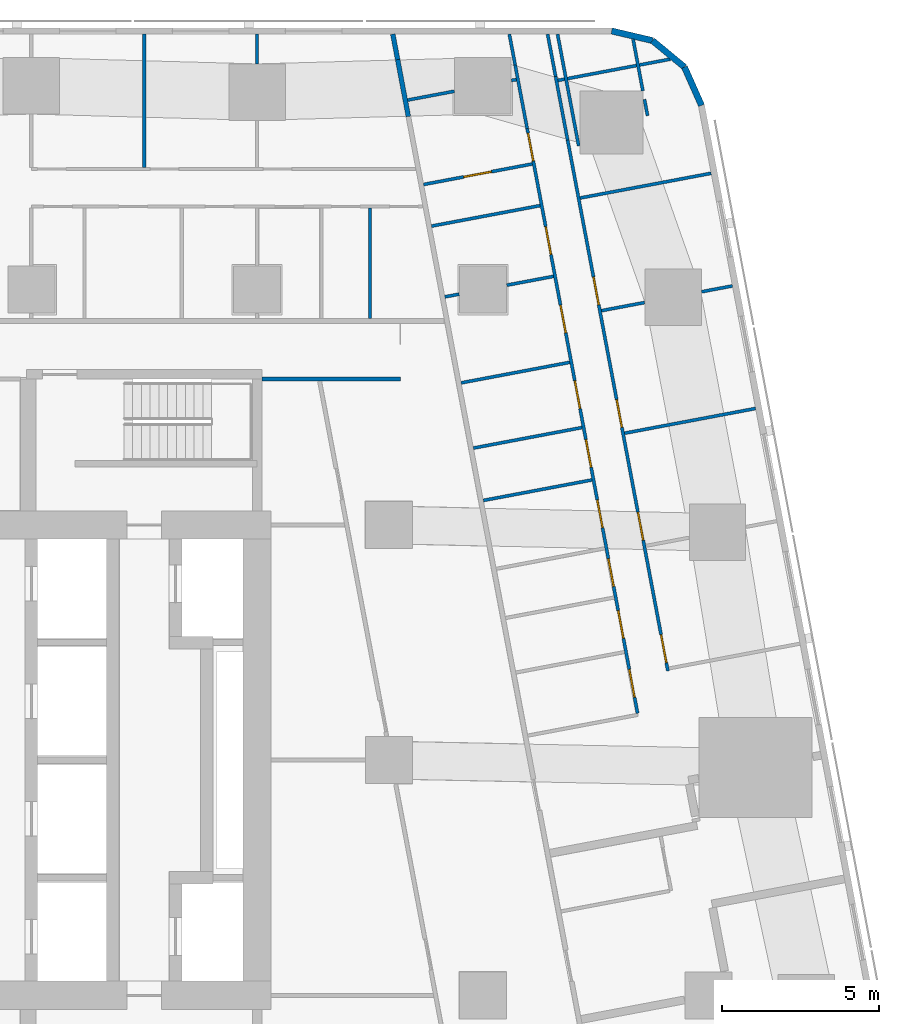
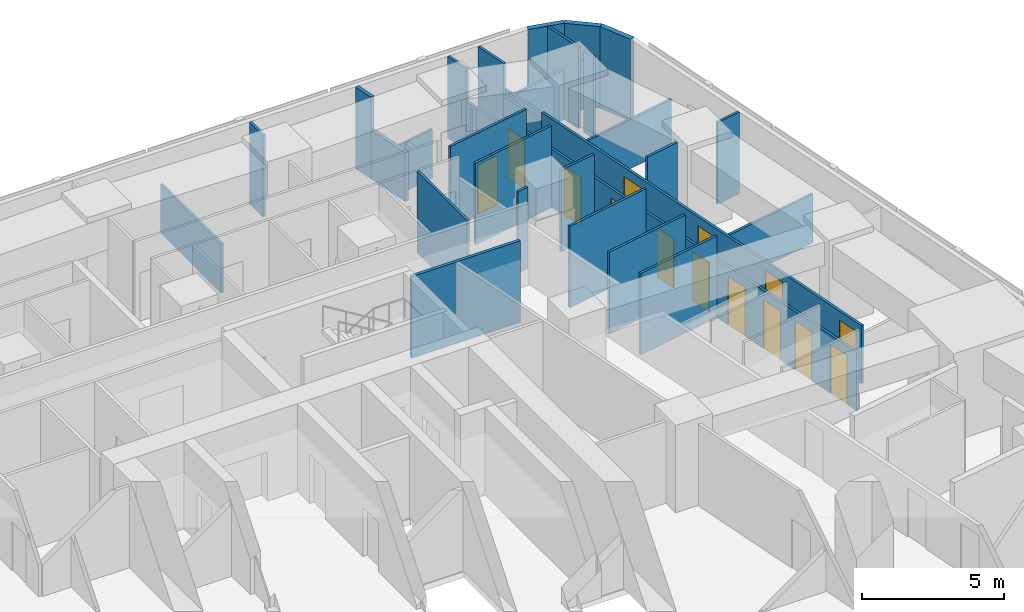
# One storey, part 11 of 15: 32 walls, 14 doors, 14 openings.
"""IFC4 building model written with IfcOpenShell, lengths in metres."""

from ifc_helpers import new_model, si_unit, direction, frame, frame_2d, origin, place, context, subcontext, project, spatial, rectangle, extrude, material, layer, layer_set, type_object, element, fill, save


model = new_model("IFC4")

# Units and contexts
model_context = context("Model", 3, precision=1e-05, world=origin(), true_north=direction((0.0, 1.0)))
body_context = subcontext(model_context, "Body", "Model", "MODEL_VIEW")
ifc_project = project(units=[si_unit("LENGTHUNIT", "METRE"), si_unit("AREAUNIT", "SQUARE_METRE"), si_unit("VOLUMEUNIT", "CUBIC_METRE"), si_unit("PLANEANGLEUNIT", "RADIAN"), si_unit("MASSUNIT", "GRAM", prefix="KILO")], contexts=[model_context])

# Site, building, storey
site_placement = place(None, origin())
site = spatial("IfcSite", under=ifc_project, at=site_placement, CompositionType="ELEMENT")
building_placement = place(site_placement, origin())
building = spatial("IfcBuilding", under=site, at=building_placement, Name="Sheger Commons Tower", CompositionType="ELEMENT")
storey_placement = place(building_placement, frame((0.0, 0.0, 158.300048828125)))
storey = spatial("IfcBuildingStorey", under=building, at=storey_placement, Name="L40", CompositionType="ELEMENT", Elevation=158.300048828125)

# Walls
ifc_material_1 = material(Name="Hollow concrete block masonry, skimmed both sides", Category="masonry")
ifc_layer_1 = layer(ifc_material_1, 0.14990234375)
ifc_layer_set_1 = layer_set([ifc_layer_1], Name="CORRIDOR WALL 150")
wall_type_1 = type_object("IfcWallType", Name="CORRIDOR WALL 150", PredefinedType="SOLIDWALL", material=ifc_layer_set_1)
wall_1_placement = place(storey_placement, frame((33.126953125, 45.64990234375, 0.0), z_axis=(0.0, 0.0, 1.0), x_axis=(0.186176514576, -0.982516313056, 0.0)))
element("IfcWall", 1, at=wall_1_placement, inside=storey, type_object=wall_type_1, Name="Corridor wall L40", PredefinedType="SOLIDWALL", context=body_context, shape_type="SweptSolid", body=[
    extrude(rectangle(XDim=0.827392578125, YDim=0.14990234375, at=frame_2d((0.41357421875, 0.0))), origin(), (0.0, 0.0, 1.0), 3.5),
])
wall_2_placement = place(storey_placement, frame((33.281005859375, 44.8369140625, 0.0), z_axis=(0.0, 0.0, 1.0), x_axis=(0.185198323004, -0.982701165745, 0.0)))
element("IfcWall", 2, at=wall_2_placement, inside=storey, type_object=wall_type_1, Name="Corridor wall L40", PredefinedType="SOLIDWALL", context=body_context, shape_type="SweptSolid", body=[
    extrude(rectangle(XDim=1.846923828125, YDim=0.14990234375, at=frame_2d((0.92333984375, 0.0))), origin(), (0.0, 0.0, 1.0), 2.099853515625),
])
ifc_material_2 = material(Name="Rendered concrete block masonry, dark grey", Category="masonry")
ifc_layer_2 = layer(ifc_material_2, 0.199951171875)
ifc_layer_set_2 = layer_set([ifc_layer_2], Name="FACADE WALL 200")
wall_type_2 = type_object("IfcWallType", Name="FACADE WALL 200", PredefinedType="SOLIDWALL", material=ifc_layer_set_2)
wall_3_placement = place(storey_placement, frame((42.969970703125, 43.376953125, 0.0), z_axis=(0.0, 0.0, 1.0), x_axis=(-0.406002956633, 0.913871762998, 0.0)))
element("IfcWall", 3, at=wall_3_placement, inside=storey, type_object=wall_type_2, Name="Facade wall L40", PredefinedType="SOLIDWALL", context=body_context, shape_type="SweptSolid", body=[
    extrude(rectangle(XDim=1.33740234375, YDim=0.199951171875, at=frame_2d((0.668701171875, 0.0))), origin(), (0.0, 0.0, 1.0), 3.5),
])
wall_4_placement = place(storey_placement, frame((42.427001953125, 44.59912109375, 0.0), z_axis=(0.0, 0.0, 1.0), x_axis=(-0.770091412544, 0.637933551655, 0.0)))
element("IfcWall", 4, at=wall_4_placement, inside=storey, type_object=wall_type_2, Name="Facade wall L40", PredefinedType="SOLIDWALL", context=body_context, shape_type="SweptSolid", body=[
    extrude(rectangle(XDim=1.324462890625, YDim=0.199951171875, at=frame_2d((0.662109375, 0.0))), origin(), (0.0, 0.0, 1.0), 3.5),
])
wall_5_placement = place(storey_placement, frame((41.406982421875, 45.444091796875, 0.0), z_axis=(0.0, 0.0, 1.0), x_axis=(-0.973453091607, 0.228886606077, 0.0)))
element("IfcWall", 5, at=wall_5_placement, inside=storey, type_object=wall_type_2, Name="Facade wall L40", PredefinedType="SOLIDWALL", context=body_context, shape_type="SweptSolid", body=[
    extrude(rectangle(XDim=1.33642578125, YDim=0.199951171875, at=frame_2d((0.668212890625, 0.0))), origin(), (0.0, 0.0, 1.0), 3.5),
])
ifc_material_3 = material(Name="Gypsum board on steel studs", Category="steel")
ifc_layer_3 = layer(ifc_material_3, 0.10009765625)
ifc_layer_set_3 = layer_set([ifc_layer_3], Name="PARTITION 100")
wall_type_3 = type_object("IfcWallType", Name="PARTITION 100", PredefinedType="PARTITIONING", material=ifc_layer_set_3)
wall_6_placement = place(storey_placement, frame((39.053955078125, 42.0849609375, 0.0), z_axis=(0.0, 0.0, 1.0), x_axis=(-0.185791584218, 0.982589175207, 0.0)))
element("IfcWall", 6, at=wall_6_placement, inside=storey, type_object=wall_type_3, Name="Partition L40", PredefinedType="PARTITIONING", context=body_context, shape_type="SweptSolid", body=[
    extrude(rectangle(XDim=3.628173828125, YDim=0.10009765625, at=frame_2d((1.81396484375, 0.0))), origin(), (0.0, 0.0, 1.0), 2.099853515625),
])
wall_7_placement = place(storey_placement, frame((40.7890625, 45.487060546875, 0.0), z_axis=(0.0, 0.0, 1.0), x_axis=(0.185572395193, -0.982630594955, 0.0)))
element("IfcWall", 7, at=wall_7_placement, inside=storey, type_object=wall_type_3, Name="Partition L40", PredefinedType="PARTITIONING", context=body_context, shape_type="SweptSolid", body=[
    extrude(rectangle(XDim=1.676025390625, YDim=0.10009765625, at=frame_2d((0.837890625, 0.0))), origin(), (0.0, 0.0, 1.0), 3.5),
])
wall_8_placement = place(storey_placement, frame((41.15087890625, 43.569091796875, 0.0), z_axis=(0.0, 0.0, 1.0), x_axis=(0.186563073924, -0.982442985342, 0.0)))
element("IfcWall", 8, at=wall_8_placement, inside=storey, type_object=wall_type_3, Name="Partition L40", PredefinedType="PARTITIONING", context=body_context, shape_type="SweptSolid", body=[
    extrude(rectangle(XDim=0.53125, YDim=0.10009765625, at=frame_2d((0.265625, 0.0))), origin(), (0.0, 0.0, 1.0), 3.5),
])
wall_9_placement = place(storey_placement, frame((38.06298828125, 45.64990234375, 0.0), z_axis=(0.0, 0.0, 1.0), x_axis=(0.185456359766, -0.982652501458, 0.0)))
element("IfcWall", 9, at=wall_9_placement, inside=storey, type_object=wall_type_3, Name="Partition L40", PredefinedType="PARTITIONING", context=body_context, shape_type="SweptSolid", body=[
    extrude(rectangle(XDim=1.375732421875, YDim=0.10009765625, at=frame_2d((0.68798828125, 0.0))), origin(), (0.0, 0.0, 1.0), 3.5),
])
wall_10_placement = place(storey_placement, frame((38.318115234375, 44.298095703125, 0.0), z_axis=(0.0, 0.0, 1.0), x_axis=(0.185481135188, -0.982647825261, 0.0)))
element("IfcWall", 10, at=wall_10_placement, inside=storey, type_object=wall_type_3, Name="Partition L40", PredefinedType="PARTITIONING", context=body_context, shape_type="SweptSolid", body=[
    extrude(rectangle(XDim=2.06396484375, YDim=0.10009765625, at=frame_2d((1.031982421875, 0.0))), origin(), (0.0, 0.0, 1.0), 2.099853515625),
])

# Wall, openings, doors
wall_11_placement = place(storey_placement, frame((38.700927734375, 42.27001953125, 0.0), z_axis=(0.0, 0.0, 1.0), x_axis=(0.185644634212, -0.982616949675, 0.0)))
wall_11 = element("IfcWall", 11, at=wall_11_placement, inside=storey, type_object=wall_type_3, Name="Partition L40", PredefinedType="PARTITIONING", context=body_context, shape_type="SweptSolid", body=[
    extrude(rectangle(XDim=17.2265625, YDim=0.10009765625, at=frame_2d((8.61328125, 0.0))), origin(), (0.0, 0.0, 1.0), 2.5),
])
opening_1_placement = place(wall_11_placement, frame((16.053955078125, 0.0, 0.0)))
opening_1 = element("IfcOpeningElement", 12, at=opening_1_placement, cuts=wall_11, Name="Opening D2", PredefinedType="OPENING", context=body_context, shape_type="SweptSolid", body=[
    extrude(rectangle(XDim=0.89990234375, YDim=2.10009765625, at=frame_2d((0.449951171875, 1.050048828125))), frame((0.0, 0.06005859375, 0.0), z_axis=(0.0, -1.0, 0.0), x_axis=(1.0, 0.0, 0.0)), (0.0, 0.0, 1.0), 0.1201171875),
])
opening_2_placement = place(wall_11_placement, frame((12.076904296875, 0.0, 0.0)))
opening_2 = element("IfcOpeningElement", 13, at=opening_2_placement, cuts=wall_11, Name="Opening D2", PredefinedType="OPENING", context=body_context, shape_type="SweptSolid", body=[
    extrude(rectangle(XDim=0.89990234375, YDim=2.10009765625, at=frame_2d((0.449951171875, 1.050048828125))), frame((0.0, 0.06005859375, 0.0), z_axis=(0.0, -1.0, 0.0), x_axis=(1.0, 0.0, 0.0)), (0.0, 0.0, 1.0), 0.1201171875),
])
opening_3_placement = place(wall_11_placement, frame((8.419921875, 0.0, 0.0)))
opening_3 = element("IfcOpeningElement", 14, at=opening_3_placement, cuts=wall_11, Name="Opening D2", PredefinedType="OPENING", context=body_context, shape_type="SweptSolid", body=[
    extrude(rectangle(XDim=0.89990234375, YDim=2.10009765625, at=frame_2d((0.449951171875, 1.050048828125))), frame((0.0, 0.06005859375, 0.0), z_axis=(0.0, -1.0, 0.0), x_axis=(1.0, 0.0, 0.0)), (0.0, 0.0, 1.0), 0.1201171875),
])
opening_4_placement = place(wall_11_placement, frame((4.444091796875, 0.0, 0.0)))
opening_4 = element("IfcOpeningElement", 15, at=opening_4_placement, cuts=wall_11, Name="Opening D2", PredefinedType="OPENING", context=body_context, shape_type="SweptSolid", body=[
    extrude(rectangle(XDim=0.89990234375, YDim=2.10009765625, at=frame_2d((0.449951171875, 1.050048828125))), frame((0.0, 0.06005859375, 0.0), z_axis=(0.0, -1.0, 0.0), x_axis=(1.0, 0.0, 0.0)), (0.0, 0.0, 1.0), 0.1201171875),
])
ifc_material_4 = material(Name="Timber door set", Category="wood")
door_type = type_object("IfcDoorType", Name="INTERNAL DOOR 900x2100", OperationType="NOTDEFINED", PredefinedType="DOOR", material=ifc_material_4)
door_1_placement = place(opening_1_placement, origin())
door_1 = element("IfcDoor", 16, at=door_1_placement, inside=storey, type_object=door_type, Name="Main bedroom door", OperationType="SINGLE_SWING_RIGHT", OverallHeight=2.10009765625, OverallWidth=0.89990234375, PredefinedType="DOOR", context=body_context, shape_type="SweptSolid", body=[
    extrude(rectangle(XDim=0.89990234375, YDim=2.10009765625, at=frame_2d((0.449951171875, 1.050048828125))), frame((0.0, 0.02490234375, 0.0), z_axis=(0.0, -1.0, 0.0), x_axis=(1.0, 0.0, 0.0)), (0.0, 0.0, 1.0), 0.050048828125),
])
fill(opening_1, door_1)
door_2_placement = place(opening_2_placement, origin())
door_2 = element("IfcDoor", 17, at=door_2_placement, inside=storey, type_object=door_type, Name="Bedroom 2 door", OperationType="SINGLE_SWING_RIGHT", OverallHeight=2.10009765625, OverallWidth=0.89990234375, PredefinedType="DOOR", context=body_context, shape_type="SweptSolid", body=[
    extrude(rectangle(XDim=0.89990234375, YDim=2.10009765625, at=frame_2d((0.449951171875, 1.050048828125))), frame((0.0, 0.02490234375, 0.0), z_axis=(0.0, -1.0, 0.0), x_axis=(1.0, 0.0, 0.0)), (0.0, 0.0, 1.0), 0.050048828125),
])
fill(opening_2, door_2)
door_3_placement = place(opening_3_placement, origin())
door_3 = element("IfcDoor", 18, at=door_3_placement, inside=storey, type_object=door_type, Name="Bedroom 3 door", OperationType="SINGLE_SWING_RIGHT", OverallHeight=2.10009765625, OverallWidth=0.89990234375, PredefinedType="DOOR", context=body_context, shape_type="SweptSolid", body=[
    extrude(rectangle(XDim=0.89990234375, YDim=2.10009765625, at=frame_2d((0.449951171875, 1.050048828125))), frame((0.0, 0.02490234375, 0.0), z_axis=(0.0, -1.0, 0.0), x_axis=(1.0, 0.0, 0.0)), (0.0, 0.0, 1.0), 0.050048828125),
])
fill(opening_3, door_3)
door_4_placement = place(opening_4_placement, origin())
door_4 = element("IfcDoor", 19, at=door_4_placement, inside=storey, type_object=door_type, Name="Bedroom 4 door", OperationType="SINGLE_SWING_RIGHT", OverallHeight=2.10009765625, OverallWidth=0.89990234375, PredefinedType="DOOR", context=body_context, shape_type="SweptSolid", body=[
    extrude(rectangle(XDim=0.89990234375, YDim=2.10009765625, at=frame_2d((0.449951171875, 1.050048828125))), frame((0.0, 0.02490234375, 0.0), z_axis=(0.0, -1.0, 0.0), x_axis=(1.0, 0.0, 0.0)), (0.0, 0.0, 1.0), 0.050048828125),
])
fill(opening_4, door_4)

# Walls
wall_12_placement = place(storey_placement, frame((36.842041015625, 45.64990234375, 0.0), z_axis=(0.0, 0.0, 1.0), x_axis=(0.185789875365, -0.982589498322, 0.0)))
element("IfcWall", 20, at=wall_12_placement, inside=storey, type_object=wall_type_3, Name="Partition L40", PredefinedType="PARTITIONING", context=body_context, shape_type="SweptSolid", body=[
    extrude(rectangle(XDim=1.001220703125, YDim=0.10009765625, at=frame_2d((0.50048828125, 0.0))), origin(), (0.0, 0.0, 1.0), 3.5),
])
wall_13_placement = place(storey_placement, frame((37.028076171875, 44.666015625, 0.0), z_axis=(0.0, 0.0, 1.0), x_axis=(0.185481135188, -0.982647825261, 0.0)))
element("IfcWall", 21, at=wall_13_placement, inside=storey, type_object=wall_type_3, Name="Partition L40", PredefinedType="PARTITIONING", context=body_context, shape_type="SweptSolid", body=[
    extrude(rectangle(XDim=2.06396484375, YDim=0.10009765625, at=frame_2d((1.031982421875, 0.0))), origin(), (0.0, 0.0, 1.0), 2.099853515625),
])

# Wall, openings, doors
wall_14_placement = place(storey_placement, frame((37.410888671875, 42.637939453125, 0.0), z_axis=(0.0, 0.0, 1.0), x_axis=(0.185554598549, -0.982633955732, 0.0)))
wall_14 = element("IfcWall", 22, at=wall_14_placement, inside=storey, type_object=wall_type_3, Name="Partition L40", PredefinedType="PARTITIONING", context=body_context, shape_type="SweptSolid", body=[
    extrude(rectangle(XDim=18.9755859375, YDim=0.10009765625, at=frame_2d((9.48779296875, 0.0))), origin(), (0.0, 0.0, 1.0), 2.5),
])
opening_5_placement = place(wall_14_placement, frame((17.551025390625, 0.0, 0.0)))
opening_5 = element("IfcOpeningElement", 23, at=opening_5_placement, cuts=wall_14, Name="Opening D2", PredefinedType="OPENING", context=body_context, shape_type="SweptSolid", body=[
    extrude(rectangle(XDim=0.89990234375, YDim=2.10009765625, at=frame_2d((0.449951171875, 1.050048828125))), frame((0.0, 0.06005859375, 0.0), z_axis=(0.0, -1.0, 0.0), x_axis=(1.0, 0.0, 0.0)), (0.0, 0.0, 1.0), 0.1201171875),
])
opening_6_placement = place(wall_14_placement, frame((13.958984375, 0.0, 0.0)))
opening_6 = element("IfcOpeningElement", 24, at=opening_6_placement, cuts=wall_14, Name="Opening D2", PredefinedType="OPENING", context=body_context, shape_type="SweptSolid", body=[
    extrude(rectangle(XDim=0.89990234375, YDim=2.10009765625, at=frame_2d((0.449951171875, 1.050048828125))), frame((0.0, 0.06005859375, 0.0), z_axis=(0.0, -1.0, 0.0), x_axis=(1.0, 0.0, 0.0)), (0.0, 0.0, 1.0), 0.1201171875),
])
opening_7_placement = place(wall_14_placement, frame((10.092041015625, 0.0, 0.0)))
opening_7 = element("IfcOpeningElement", 25, at=opening_7_placement, cuts=wall_14, Name="Opening D2", PredefinedType="OPENING", context=body_context, shape_type="SweptSolid", body=[
    extrude(rectangle(XDim=0.89990234375, YDim=2.10009765625, at=frame_2d((0.449951171875, 1.050048828125))), frame((0.0, 0.06005859375, 0.0), z_axis=(0.0, -1.0, 0.0), x_axis=(1.0, 0.0, 0.0)), (0.0, 0.0, 1.0), 0.1201171875),
])
opening_8_placement = place(wall_14_placement, frame((5.73095703125, 0.0, 0.0)))
opening_8 = element("IfcOpeningElement", 26, at=opening_8_placement, cuts=wall_14, Name="Opening D2", PredefinedType="OPENING", context=body_context, shape_type="SweptSolid", body=[
    extrude(rectangle(XDim=0.89990234375, YDim=2.10009765625, at=frame_2d((0.449951171875, 1.050048828125))), frame((0.0, 0.06005859375, 0.0), z_axis=(0.0, -1.0, 0.0), x_axis=(1.0, 0.0, 0.0)), (0.0, 0.0, 1.0), 0.1201171875),
])
opening_9_placement = place(wall_14_placement, frame((3.18798828125, 0.0, 0.0)))
opening_9 = element("IfcOpeningElement", 27, at=opening_9_placement, cuts=wall_14, Name="Opening D2", PredefinedType="OPENING", context=body_context, shape_type="SweptSolid", body=[
    extrude(rectangle(XDim=0.89990234375, YDim=2.10009765625, at=frame_2d((0.449951171875, 1.050048828125))), frame((0.0, 0.06005859375, 0.0), z_axis=(0.0, -1.0, 0.0), x_axis=(1.0, 0.0, 0.0)), (0.0, 0.0, 1.0), 0.1201171875),
])
opening_10_placement = place(wall_14_placement, frame((0.14990234375, 0.0, 0.0)))
opening_10 = element("IfcOpeningElement", 28, at=opening_10_placement, cuts=wall_14, Name="Opening D2", PredefinedType="OPENING", context=body_context, shape_type="SweptSolid", body=[
    extrude(rectangle(XDim=0.89990234375, YDim=2.10009765625, at=frame_2d((0.449951171875, 1.050048828125))), frame((0.0, 0.06005859375, 0.0), z_axis=(0.0, -1.0, 0.0), x_axis=(1.0, 0.0, 0.0)), (0.0, 0.0, 1.0), 0.1201171875),
])
opening_11_placement = place(wall_14_placement, frame((15.64208984375, 0.0, 0.0)))
opening_11 = element("IfcOpeningElement", 29, at=opening_11_placement, cuts=wall_14, Name="Opening D2", PredefinedType="OPENING", context=body_context, shape_type="SweptSolid", body=[
    extrude(rectangle(XDim=0.89990234375, YDim=2.10009765625, at=frame_2d((0.449951171875, 1.050048828125))), frame((0.0, 0.06005859375, 0.0), z_axis=(0.0, -1.0, 0.0), x_axis=(1.0, 0.0, 0.0)), (0.0, 0.0, 1.0), 0.1201171875),
])
opening_12_placement = place(wall_14_placement, frame((12.051025390625, 0.0, 0.0)))
opening_12 = element("IfcOpeningElement", 30, at=opening_12_placement, cuts=wall_14, Name="Opening D2", PredefinedType="OPENING", context=body_context, shape_type="SweptSolid", body=[
    extrude(rectangle(XDim=0.89990234375, YDim=2.10009765625, at=frame_2d((0.449951171875, 1.050048828125))), frame((0.0, 0.06005859375, 0.0), z_axis=(0.0, -1.0, 0.0), x_axis=(1.0, 0.0, 0.0)), (0.0, 0.0, 1.0), 0.1201171875),
])
opening_13_placement = place(wall_14_placement, frame((8.18505859375, 0.0, 0.0)))
opening_13 = element("IfcOpeningElement", 31, at=opening_13_placement, cuts=wall_14, Name="Opening D2", PredefinedType="OPENING", context=body_context, shape_type="SweptSolid", body=[
    extrude(rectangle(XDim=0.89990234375, YDim=2.10009765625, at=frame_2d((0.449951171875, 1.050048828125))), frame((0.0, 0.06005859375, 0.0), z_axis=(0.0, -1.0, 0.0), x_axis=(1.0, 0.0, 0.0)), (0.0, 0.0, 1.0), 0.1201171875),
])
door_5_placement = place(opening_5_placement, origin())
door_5 = element("IfcDoor", 32, at=door_5_placement, inside=storey, type_object=door_type, Name="Bathroom door", OperationType="SINGLE_SWING_LEFT", OverallHeight=2.10009765625, OverallWidth=0.89990234375, PredefinedType="DOOR", context=body_context, shape_type="SweptSolid", body=[
    extrude(rectangle(XDim=0.89990234375, YDim=2.10009765625, at=frame_2d((0.449951171875, 1.050048828125))), frame((0.0, 0.02490234375, 0.0), z_axis=(0.0, -1.0, 0.0), x_axis=(1.0, 0.0, 0.0)), (0.0, 0.0, 1.0), 0.050048828125),
])
fill(opening_5, door_5)
door_6_placement = place(opening_6_placement, origin())
door_6 = element("IfcDoor", 33, at=door_6_placement, inside=storey, type_object=door_type, Name="Shower room door", OperationType="SINGLE_SWING_LEFT", OverallHeight=2.10009765625, OverallWidth=0.89990234375, PredefinedType="DOOR", context=body_context, shape_type="SweptSolid", body=[
    extrude(rectangle(XDim=0.89990234375, YDim=2.10009765625, at=frame_2d((0.449951171875, 1.050048828125))), frame((0.0, 0.02490234375, 0.0), z_axis=(0.0, -1.0, 0.0), x_axis=(1.0, 0.0, 0.0)), (0.0, 0.0, 1.0), 0.050048828125),
])
fill(opening_6, door_6)
door_7_placement = place(opening_7_placement, origin())
door_7 = element("IfcDoor", 34, at=door_7_placement, inside=storey, type_object=door_type, Name="Laundry room door", OperationType="SINGLE_SWING_LEFT", OverallHeight=2.10009765625, OverallWidth=0.89990234375, PredefinedType="DOOR", context=body_context, shape_type="SweptSolid", body=[
    extrude(rectangle(XDim=0.89990234375, YDim=2.10009765625, at=frame_2d((0.449951171875, 1.050048828125))), frame((0.0, 0.02490234375, 0.0), z_axis=(0.0, -1.0, 0.0), x_axis=(1.0, 0.0, 0.0)), (0.0, 0.0, 1.0), 0.050048828125),
])
fill(opening_7, door_7)
door_8_placement = place(opening_8_placement, origin())
door_8 = element("IfcDoor", 35, at=door_8_placement, inside=storey, type_object=door_type, Name="Store and laundry door", OperationType="SINGLE_SWING_RIGHT", OverallHeight=2.10009765625, OverallWidth=0.89990234375, PredefinedType="DOOR", context=body_context, shape_type="SweptSolid", body=[
    extrude(rectangle(XDim=0.89990234375, YDim=2.10009765625, at=frame_2d((0.449951171875, 1.050048828125))), frame((0.0, 0.02490234375, 0.0), z_axis=(0.0, -1.0, 0.0), x_axis=(1.0, 0.0, 0.0)), (0.0, 0.0, 1.0), 0.050048828125),
])
fill(opening_8, door_8)
door_9_placement = place(opening_9_placement, origin())
door_9 = element("IfcDoor", 36, at=door_9_placement, inside=storey, type_object=door_type, Name="Store and laundry door", OperationType="SINGLE_SWING_RIGHT", OverallHeight=2.10009765625, OverallWidth=0.89990234375, PredefinedType="DOOR", context=body_context, shape_type="SweptSolid", body=[
    extrude(rectangle(XDim=0.89990234375, YDim=2.10009765625, at=frame_2d((0.449951171875, 1.050048828125))), frame((0.0, 0.02490234375, 0.0), z_axis=(0.0, -1.0, 0.0), x_axis=(1.0, 0.0, 0.0)), (0.0, 0.0, 1.0), 0.050048828125),
])
fill(opening_9, door_9)
door_10_placement = place(opening_10_placement, origin())
door_10 = element("IfcDoor", 37, at=door_10_placement, inside=storey, type_object=door_type, Name="Store and laundry door", OperationType="SINGLE_SWING_RIGHT", OverallHeight=2.10009765625, OverallWidth=0.89990234375, PredefinedType="DOOR", context=body_context, shape_type="SweptSolid", body=[
    extrude(rectangle(XDim=0.89990234375, YDim=2.10009765625, at=frame_2d((0.449951171875, 1.050048828125))), frame((0.0, 0.02490234375, 0.0), z_axis=(0.0, -1.0, 0.0), x_axis=(1.0, 0.0, 0.0)), (0.0, 0.0, 1.0), 0.050048828125),
])
fill(opening_10, door_10)
door_11_placement = place(opening_11_placement, origin())
door_11 = element("IfcDoor", 38, at=door_11_placement, inside=storey, type_object=door_type, Name="Store door", OperationType="SINGLE_SWING_RIGHT", OverallHeight=2.10009765625, OverallWidth=0.89990234375, PredefinedType="DOOR", context=body_context, shape_type="SweptSolid", body=[
    extrude(rectangle(XDim=0.89990234375, YDim=2.10009765625, at=frame_2d((0.449951171875, 1.050048828125))), frame((0.0, 0.02490234375, 0.0), z_axis=(0.0, -1.0, 0.0), x_axis=(1.0, 0.0, 0.0)), (0.0, 0.0, 1.0), 0.050048828125),
])
fill(opening_11, door_11)
door_12_placement = place(opening_12_placement, origin())
door_12 = element("IfcDoor", 39, at=door_12_placement, inside=storey, type_object=door_type, Name="Store door", OperationType="SINGLE_SWING_LEFT", OverallHeight=2.10009765625, OverallWidth=0.89990234375, PredefinedType="DOOR", context=body_context, shape_type="SweptSolid", body=[
    extrude(rectangle(XDim=0.89990234375, YDim=2.10009765625, at=frame_2d((0.449951171875, 1.050048828125))), frame((0.0, 0.02490234375, 0.0), z_axis=(0.0, -1.0, 0.0), x_axis=(1.0, 0.0, 0.0)), (0.0, 0.0, 1.0), 0.050048828125),
])
fill(opening_12, door_12)
door_13_placement = place(opening_13_placement, origin())
door_13 = element("IfcDoor", 40, at=door_13_placement, inside=storey, type_object=door_type, Name="Store door", OperationType="SINGLE_SWING_LEFT", OverallHeight=2.10009765625, OverallWidth=0.89990234375, PredefinedType="DOOR", context=body_context, shape_type="SweptSolid", body=[
    extrude(rectangle(XDim=0.89990234375, YDim=2.10009765625, at=frame_2d((0.449951171875, 1.050048828125))), frame((0.0, 0.02490234375, 0.0), z_axis=(0.0, -1.0, 0.0), x_axis=(1.0, 0.0, 0.0)), (0.0, 0.0, 1.0), 0.050048828125),
])
fill(opening_13, door_13)

# Walls
wall_15_placement = place(storey_placement, frame((41.968017578125, 44.85009765625, 0.0), z_axis=(0.0, 0.0, 1.0), x_axis=(-0.98258614234, -0.185807623311, 0.0)))
element("IfcWall", 41, at=wall_15_placement, inside=storey, type_object=wall_type_3, Name="Partition L40", PredefinedType="PARTITIONING", context=body_context, shape_type="SweptSolid", body=[
    extrude(rectangle(XDim=3.638427734375, YDim=0.10009765625, at=frame_2d((1.8193359375, 0.0))), origin(), (0.0, 0.0, 1.0), 2.099853515625),
])
wall_16_placement = place(storey_placement, frame((43.277099609375, 41.2119140625, 0.0), z_axis=(0.0, 0.0, 1.0), x_axis=(-0.982665405803, -0.185387972203, 0.0)))
element("IfcWall", 42, at=wall_16_placement, inside=storey, type_object=wall_type_3, Name="Partition L40", PredefinedType="PARTITIONING", context=body_context, shape_type="SweptSolid", body=[
    extrude(rectangle(XDim=4.249755859375, YDim=0.10009765625, at=frame_2d((2.125, 0.0))), origin(), (0.0, 0.0, 1.0), 2.099853515625),
])
wall_17_placement = place(storey_placement, frame((43.955078125, 37.6201171875, 0.0), z_axis=(0.0, 0.0, 1.0), x_axis=(-0.982666697719, -0.185381124159, 0.0)))
element("IfcWall", 43, at=wall_17_placement, inside=storey, type_object=wall_type_3, Name="Partition L40", PredefinedType="PARTITIONING", context=body_context, shape_type="SweptSolid", body=[
    extrude(rectangle(XDim=0.998291015625, YDim=0.10009765625, at=frame_2d((0.4990234375, 0.0))), origin(), (0.0, 0.0, 1.0), 3.5),
])
wall_18_placement = place(storey_placement, frame((41.154052734375, 37.091064453125, 0.0), z_axis=(0.0, 0.0, 1.0), x_axis=(-0.982562488259, -0.185932667021, 0.0)))
element("IfcWall", 44, at=wall_18_placement, inside=storey, type_object=wall_type_3, Name="Partition L40", PredefinedType="PARTITIONING", context=body_context, shape_type="SweptSolid", body=[
    extrude(rectangle(XDim=1.3984375, YDim=0.10009765625, at=frame_2d((0.69921875, 0.0))), origin(), (0.0, 0.0, 1.0), 3.5),
])
wall_19_placement = place(storey_placement, frame((44.693115234375, 33.712890625, 0.0), z_axis=(0.0, 0.0, 1.0), x_axis=(-0.982615600536, -0.185651775062, 0.0)))
element("IfcWall", 45, at=wall_19_placement, inside=storey, type_object=wall_type_3, Name="Partition L40", PredefinedType="PARTITIONING", context=body_context, shape_type="SweptSolid", body=[
    extrude(rectangle(XDim=4.2490234375, YDim=0.10009765625, at=frame_2d((2.12451171875, 0.0))), origin(), (0.0, 0.0, 1.0), 2.099853515625),
])
wall_20_placement = place(storey_placement, frame((37.06494140625, 44.200927734375, 0.0), z_axis=(0.0, 0.0, 1.0), x_axis=(-0.983168876381, -0.182699098288, 0.0)))
element("IfcWall", 46, at=wall_20_placement, inside=storey, type_object=wall_type_3, Name="Partition L40", PredefinedType="PARTITIONING", context=body_context, shape_type="SweptSolid", body=[
    extrude(rectangle(XDim=0.15771484375, YDim=0.10009765625, at=frame_2d((0.078857421875, 0.0))), origin(), (0.0, 0.0, 1.0), 2.099853515625),
])
wall_21_placement = place(storey_placement, frame((35.090087890625, 43.827880859375, 0.0), z_axis=(0.0, 0.0, 1.0), x_axis=(-0.982683801717, -0.185290436461, 0.0)))
element("IfcWall", 47, at=wall_21_placement, inside=storey, type_object=wall_type_3, Name="Partition L40", PredefinedType="PARTITIONING", context=body_context, shape_type="SweptSolid", body=[
    extrude(rectangle(XDim=1.51513671875, YDim=0.10009765625, at=frame_2d((0.757568359375, 0.0))), origin(), (0.0, 0.0, 1.0), 2.099853515625),
])
wall_22_placement = place(storey_placement, frame((37.823974609375, 40.181884765625, 0.0), z_axis=(0.0, 0.0, 1.0), x_axis=(-0.982648794755, -0.185475998897, 0.0)))
element("IfcWall", 48, at=wall_22_placement, inside=storey, type_object=wall_type_3, Name="Partition L40", PredefinedType="PARTITIONING", context=body_context, shape_type="SweptSolid", body=[
    extrude(rectangle(XDim=3.525146484375, YDim=0.10009765625, at=frame_2d((1.7626953125, 0.0))), origin(), (0.0, 0.0, 1.0), 3.5),
])
wall_23_placement = place(storey_placement, frame((38.25, 37.925048828125, 0.0), z_axis=(0.0, 0.0, 1.0), x_axis=(-0.982676595259, -0.18532865167, 0.0)))
element("IfcWall", 49, at=wall_23_placement, inside=storey, type_object=wall_type_3, Name="Partition L40", PredefinedType="PARTITIONING", context=body_context, shape_type="SweptSolid", body=[
    extrude(rectangle(XDim=1.516357421875, YDim=0.10009765625, at=frame_2d((0.75830078125, 0.0))), origin(), (0.0, 0.0, 1.0), 3.5),
])
wall_24_placement = place(storey_placement, frame((35.239990234375, 37.35693359375, 0.0), z_axis=(0.0, 0.0, 1.0), x_axis=(-0.982559813104, -0.18594680334, 0.0)))
element("IfcWall", 50, at=wall_24_placement, inside=storey, type_object=wall_type_3, Name="Partition L40", PredefinedType="PARTITIONING", context=body_context, shape_type="SweptSolid", body=[
    extrude(rectangle(XDim=0.462158203125, YDim=0.10009765625, at=frame_2d((0.23095703125, 0.0))), origin(), (0.0, 0.0, 1.0), 3.5),
])
for number, where, z_axis, x_axis, name in (
    (51, (39.47607421875, 31.43408203125, 0.0), (0.0, 0.0, 1.0), (-0.982638553676, -0.185530247748, 0.0), "Partition L40"),
    (52, (38.76806640625, 35.18408203125, 0.0), (0.0, 0.0, 1.0), (-0.982588017646, -0.185797706064, 0.0), "Partition L40"),
):
    element("IfcWall", number, at=place(storey_placement, frame(where, z_axis=z_axis, x_axis=x_axis)), inside=storey, type_object=wall_type_3, Name=name, PredefinedType="PARTITIONING", context=body_context, shape_type="SweptSolid", body=[
        extrude(rectangle(XDim=3.525390625, YDim=0.10009765625, at=frame_2d((1.7626953125, 0.0))), origin(), (0.0, 0.0, 1.0), 3.5),
    ])
wall_25_placement = place(storey_placement, frame((39.159912109375, 33.10498046875, 0.0), z_axis=(0.0, 0.0, 1.0), x_axis=(-0.982585626838, -0.185810349366, 0.0)))
element("IfcWall", 53, at=wall_25_placement, inside=storey, type_object=wall_type_3, Name="Partition L40", PredefinedType="PARTITIONING", context=body_context, shape_type="SweptSolid", body=[
    extrude(rectangle(XDim=3.525146484375, YDim=0.10009765625, at=frame_2d((1.7626953125, 0.0))), origin(), (0.0, 0.0, 1.0), 3.5),
])
wall_26_placement = place(storey_placement, frame((25.199951171875, 41.39990234375, 0.0), z_axis=(0.0, 0.0, 1.0), x_axis=(0.0, 1.0, 0.0)))
element("IfcWall", 54, at=wall_26_placement, inside=storey, type_object=wall_type_3, Name="Partition L40", PredefinedType="PARTITIONING", context=body_context, shape_type="SweptSolid", body=[
    extrude(rectangle(XDim=4.25, YDim=0.10009765625, at=frame_2d((2.125, 0.0))), origin(), (0.0, 0.0, 1.0), 2.099853515625),
])
wall_27_placement = place(storey_placement, frame((28.800048828125, 44.700927734375, 0.0), z_axis=(0.0, 0.0, 1.0), x_axis=(0.0, 1.0, 0.0)))
element("IfcWall", 55, at=wall_27_placement, inside=storey, type_object=wall_type_3, Name="Partition L40", PredefinedType="PARTITIONING", context=body_context, shape_type="SweptSolid", body=[
    extrude(rectangle(XDim=0.948974609375, YDim=0.10009765625, at=frame_2d((0.474609375, 0.0))), origin(), (0.0, 0.0, 1.0), 3.5),
])
wall_28_placement = place(storey_placement, frame((32.39990234375, 36.574951171875, 0.0), z_axis=(0.0, 0.0, 1.0), x_axis=(0.0, 1.0, 0.0)))
element("IfcWall", 56, at=wall_28_placement, inside=storey, type_object=wall_type_3, Name="Partition L40", PredefinedType="PARTITIONING", context=body_context, shape_type="SweptSolid", body=[
    extrude(rectangle(XDim=3.525146484375, YDim=0.10009765625, at=frame_2d((1.7626953125, 0.0))), origin(), (0.0, 0.0, 1.0), 3.5),
])

# Wall, opening, door
wall_29_placement = place(storey_placement, frame((37.572998046875, 41.509033203125, 0.0), z_axis=(0.0, 0.0, 1.0), x_axis=(-0.982638553676, -0.185530247748, 0.0)))
wall_29 = element("IfcWall", 57, at=wall_29_placement, inside=storey, type_object=wall_type_3, Name="Partition L40", PredefinedType="PARTITIONING", context=body_context, shape_type="SweptSolid", body=[
    extrude(rectangle(XDim=3.525390625, YDim=0.10009765625, at=frame_2d((1.7626953125, 0.0))), origin(), (0.0, 0.0, 1.0), 3.5),
])
opening_14_placement = place(wall_29_placement, frame((1.324951171875, 0.0, 0.0)))
opening_14 = element("IfcOpeningElement", 58, at=opening_14_placement, cuts=wall_29, Name="Opening D2", PredefinedType="OPENING", context=body_context, shape_type="SweptSolid", body=[
    extrude(rectangle(XDim=0.89990234375, YDim=2.10009765625, at=frame_2d((0.449951171875, 1.050048828125))), frame((0.0, 0.06005859375, 0.0), z_axis=(0.0, -1.0, 0.0), x_axis=(1.0, 0.0, 0.0)), (0.0, 0.0, 1.0), 0.1201171875),
])
door_14_placement = place(opening_14_placement, origin())
door_14 = element("IfcDoor", 59, at=door_14_placement, inside=storey, type_object=door_type, Name="Store door", OperationType="SINGLE_SWING_LEFT", OverallHeight=2.10009765625, OverallWidth=0.89990234375, PredefinedType="DOOR", context=body_context, shape_type="SweptSolid", body=[
    extrude(rectangle(XDim=0.89990234375, YDim=2.10009765625, at=frame_2d((0.449951171875, 1.050048828125))), frame((0.0, 0.02490234375, 0.0), z_axis=(0.0, -1.0, 0.0), x_axis=(1.0, 0.0, 0.0)), (0.0, 0.0, 1.0), 0.050048828125),
])
fill(opening_14, door_14)

# Wall
ifc_material_5 = material(Name="Gypsum board on steel studs, two layers each side, fire rated", Category="steel")
ifc_layer_4 = layer(ifc_material_5, 0.125)
ifc_layer_set_4 = layer_set([ifc_layer_4], Name="SERVICE WALL 125")
wall_type_4 = type_object("IfcWallType", Name="SERVICE WALL 125", PredefinedType="PARTITIONING", material=ifc_layer_set_4)
wall_30_placement = place(storey_placement, frame((28.949951171875, 34.64990234375, 0.0), z_axis=(0.0, 0.0, 1.0), x_axis=(1.0, 0.0, 0.0)))
element("IfcWall", 60, at=wall_30_placement, inside=storey, type_object=wall_type_4, Name="Service room wall L40", PredefinedType="PARTITIONING", context=body_context, shape_type="SweptSolid", body=[
    extrude(rectangle(XDim=4.423095703125, YDim=0.125, at=frame_2d((2.21142578125, 0.0))), origin(), (0.0, 0.0, 1.0), 3.5),
])

save(model, "model.ifc")
